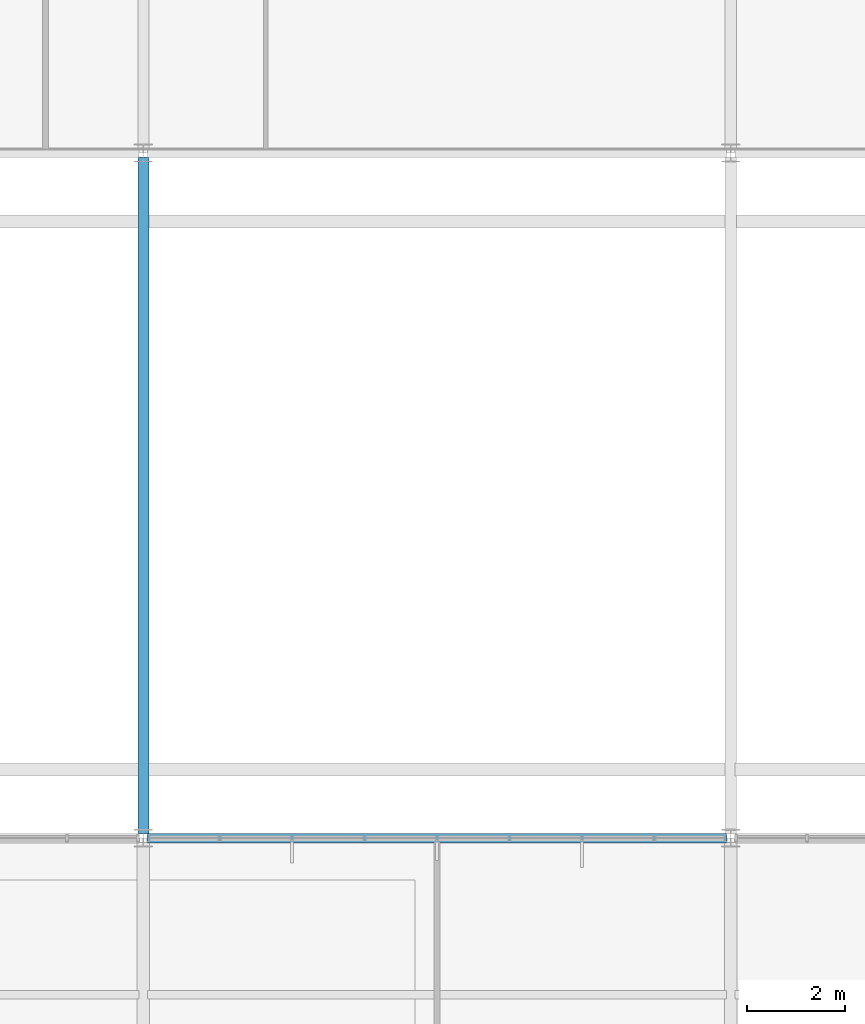
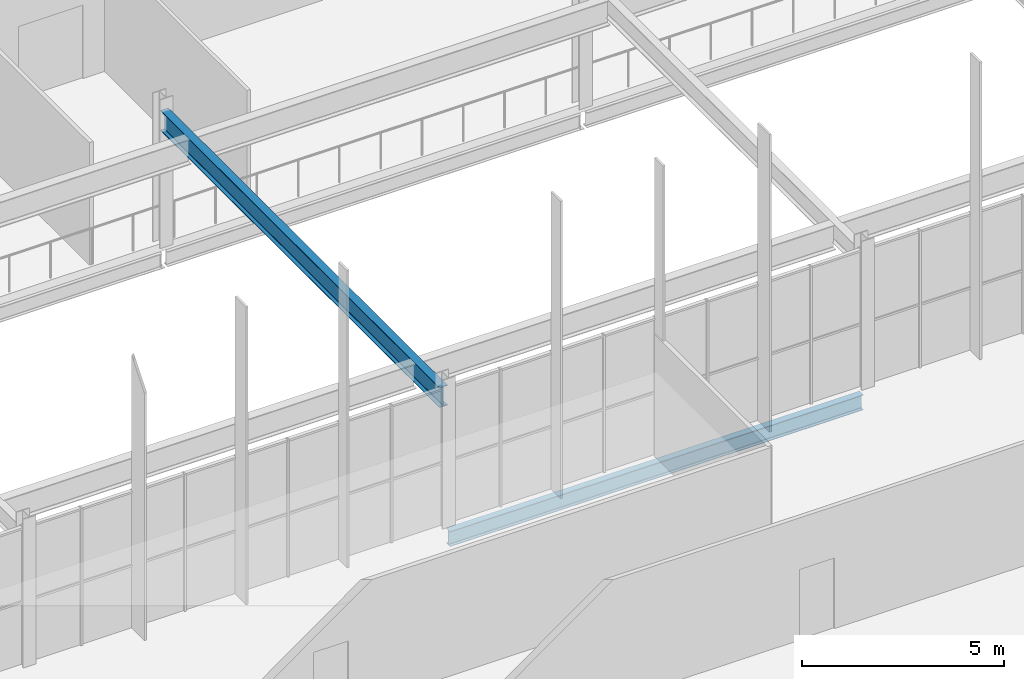
# One storey, part 194 of 324: 2 beams.
"""IFC4 building model written with IfcOpenShell, lengths in metres."""

from ifc_helpers import new_model, si_unit, direction, frame, origin, origin_2d, place, context, subcontext, project, spatial, i_section, extrude, material, material_profile, profile_set, type_object, element, save


model = new_model("IFC4")

# Units and contexts
model_context = context("Model", 3, precision=1e-05, world=origin(), true_north=direction((0.0, 1.0)))
body_context = subcontext(model_context, "Body", "Model", "MODEL_VIEW")
ifc_project = project(units=[si_unit("LENGTHUNIT", "METRE"), si_unit("AREAUNIT", "SQUARE_METRE"), si_unit("VOLUMEUNIT", "CUBIC_METRE"), si_unit("PLANEANGLEUNIT", "RADIAN"), si_unit("MASSUNIT", "GRAM", prefix="KILO")], contexts=[model_context])

# Site, building, storey
site_placement = place(None, origin())
site = spatial("IfcSite", under=ifc_project, at=site_placement, CompositionType="ELEMENT")
building_placement = place(site_placement, origin())
building = spatial("IfcBuilding", under=site, at=building_placement, Name="Solvenia Promenade Tram Depot", CompositionType="ELEMENT")
storey_placement = place(building_placement, frame((0.0, 0.0, 4.5)))
storey = spatial("IfcBuildingStorey", under=building, at=storey_placement, Name="L01", CompositionType="ELEMENT", Elevation=4.5)

# Beams
ifc_material = material(Name="Structural steel ASTM A992 Gr. 50", Category="steel")
ifc_material_profile_1 = material_profile(ifc_material, i_section(OverallWidth=0.22900390625, OverallDepth=0.612060546875, WebThickness=0.011962890625, FlangeThickness=0.01953125, FilletRadius=0.014892578125, at=origin_2d()), Name="W610x125", Category="steel")
ifc_profile_set_1 = profile_set([ifc_material_profile_1], Name="Structural steel ASTM A992 Gr. 50")
beam_type_1 = type_object("IfcBeamType", Name="Gird-W610x125", PredefinedType="BEAM", material=ifc_profile_set_1)
beam_1_placement = place(storey_placement, frame((162.0, 24.0849609375, 3.7939453125), z_axis=(0.0, 1.0, 0.0), x_axis=(-1.0, 0.0, 0.0)))
element("IfcBeam", 1, at=beam_1_placement, inside=storey, type_object=beam_type_1, Name="Crane Hall Cross Bearer BM-L01-0913", PredefinedType="BEAM", context=body_context, shape_type="SweptSolid", body=[
    extrude(i_section(OverallWidth=0.22900390625, OverallDepth=0.612060546875, WebThickness=0.011962890625, FlangeThickness=0.01953125, FilletRadius=0.014892578125, at=origin_2d()), origin(), (0.0, 0.0, 1.0), 13.830078125),
])
ifc_material_profile_2 = material_profile(ifc_material, i_section(OverallWidth=0.19091796875, OverallDepth=0.4599609375, WebThickness=0.010009765625, FlangeThickness=0.01611328125, FilletRadius=0.012939453125, at=origin_2d()), Name="W460x82", Category="steel")
ifc_profile_set_2 = profile_set([ifc_material_profile_2], Name="Structural steel ASTM A992 Gr. 50")
beam_type_2 = type_object("IfcBeamType", Name="Spandrel-W460x82", PredefinedType="SPANDREL", material=ifc_profile_set_2)
beam_2_placement = place(storey_placement, frame((162.0849609375, 24.0, -0.449951171875), z_axis=(1.0, 0.0, 0.0), x_axis=(0.0, 1.0, 0.0)))
element("IfcBeam", 2, at=beam_2_placement, inside=storey, type_object=beam_type_2, Name="Perimeter Spandrel BM-L01-0422", PredefinedType="SPANDREL", context=body_context, shape_type="SweptSolid", body=[
    extrude(i_section(OverallWidth=0.19091796875, OverallDepth=0.4599609375, WebThickness=0.010009765625, FlangeThickness=0.01611328125, FilletRadius=0.012939453125, at=origin_2d()), origin(), (0.0, 0.0, 1.0), 11.830078125),
])

save(model, "model.ifc")
